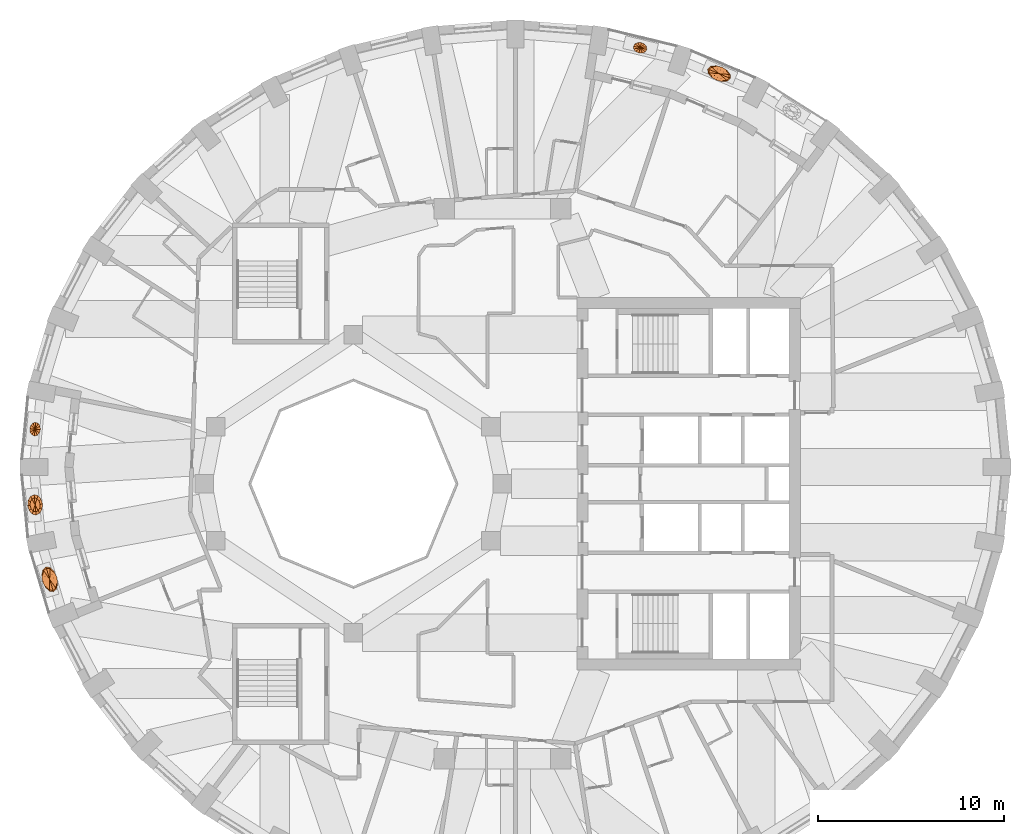
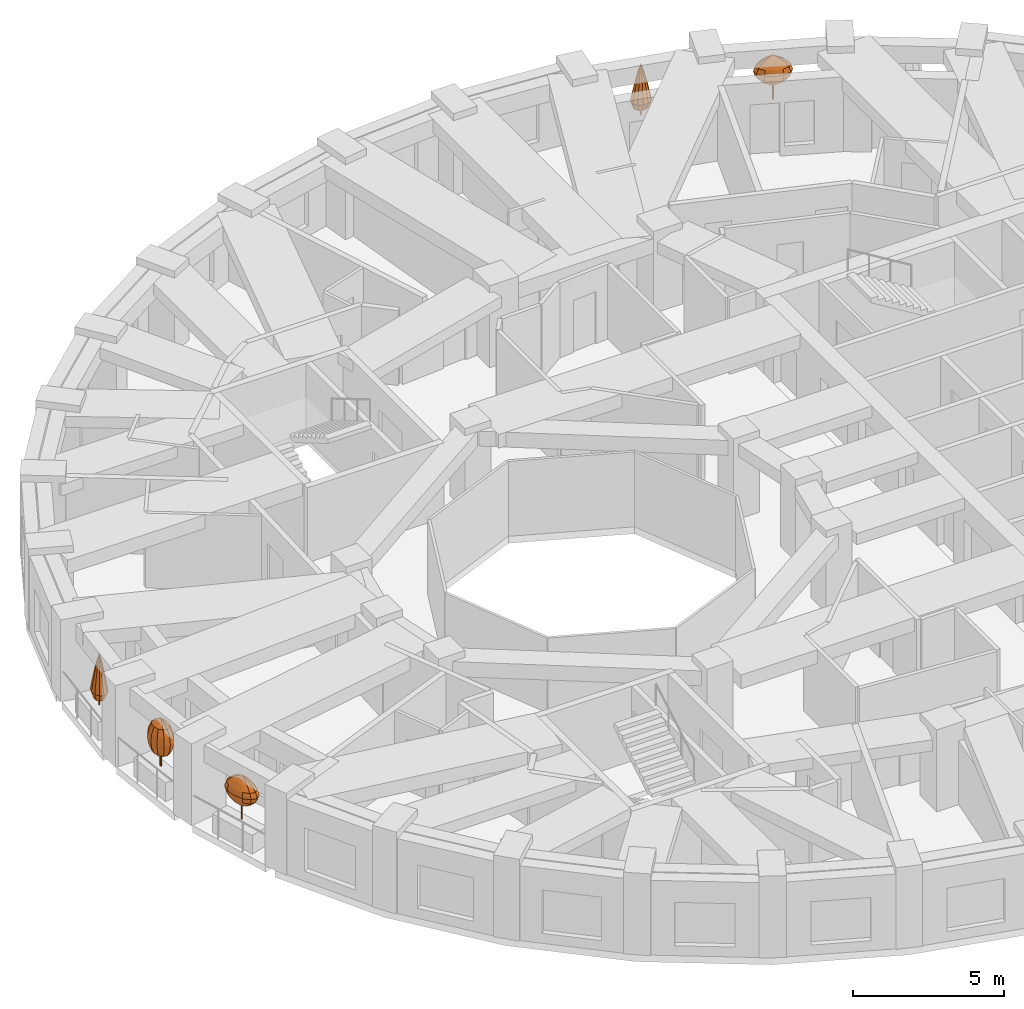
# One storey, part 11 of 12: 5 geographic elements.
"""IFC4 building model written with IfcOpenShell, lengths in metres."""

from ifc_helpers import new_model, si_unit, direction, frame, origin, place, context, subcontext, project, spatial, faceted_brep, material, constituent, constituent_set, type_object, element, save


model = new_model("IFC4")

# Units and contexts
model_context = context("Model", 3, precision=1e-05, world=origin(), true_north=direction((0.0, 1.0)))
body_context = subcontext(model_context, "Body", "Model", "MODEL_VIEW")
ifc_project = project(units=[si_unit("LENGTHUNIT", "METRE"), si_unit("AREAUNIT", "SQUARE_METRE"), si_unit("VOLUMEUNIT", "CUBIC_METRE"), si_unit("PLANEANGLEUNIT", "RADIAN"), si_unit("MASSUNIT", "GRAM", prefix="KILO")], contexts=[model_context])

# Site, building, storey
site_placement = place(None, origin())
site = spatial("IfcSite", under=ifc_project, at=site_placement, CompositionType="ELEMENT")
building_placement = place(site_placement, origin())
building = spatial("IfcBuilding", under=site, at=building_placement, Name="Taillehof Tower", CompositionType="ELEMENT")
storey_placement = place(building_placement, frame((0.0, 0.0, 192.5)))
storey = spatial("IfcBuildingStorey", under=building, at=storey_placement, Name="L54", CompositionType="ELEMENT", Elevation=192.5)

# Geographic elements
ifc_material_1 = material(Name="Tree bark", Category="timber")
ifc_constituent_1 = constituent(ifc_material_1, Name="Trunk", Category="timber")
ifc_material_2 = material(Name="Tree foliage")
ifc_constituent_2 = constituent(ifc_material_2, Name="Crown")
ifc_constituent_set_1 = constituent_set(constituents=[ifc_constituent_1, ifc_constituent_2], Name="Tree TR2 Fastigiate yew")
geographic_element_type_1 = type_object("IfcGeographicElementType", Name="Tree TR2 Fastigiate yew", PredefinedType="USERDEFINED", material=ifc_constituent_set_1)
geographic_element_1_placement = place(storey_placement, frame((-25.089599609375, -1.131591796875, 0.75)))
element("IfcGeographicElement", 1, at=geographic_element_1_placement, inside=storey, type_object=geographic_element_type_1, Name="Tree TR2 Fastigiate yew", ObjectType="TREE", PredefinedType="USERDEFINED", context=body_context, shape_type="Brep", body=[
    faceted_brep([(0.034912109375, 0.0, 0.0), (0.024658203125, 0.024658203125, 0.0), (0.024658203125, 0.024658203125, 0.909912109375), (0.034912109375, 0.0, 0.909912109375), (0.0, 0.034912109375, 0.0), (0.0, 0.034912109375, 0.909912109375), (-0.024658203125, 0.024658203125, 0.0), (-0.024658203125, 0.024658203125, 0.909912109375), (-0.034912109375, 0.0, 0.0), (-0.034912109375, 0.0, 0.909912109375), (-0.024658203125, -0.024658203125, 0.0), (-0.024658203125, -0.024658203125, 0.909912109375), (0.0, -0.034912109375, 0.0), (0.0, -0.034912109375, 0.909912109375), (0.024658203125, -0.024658203125, 0.0), (0.024658203125, -0.024658203125, 0.909912109375)], [[[0, 1, 2, 3]], [[1, 4, 5, 2]], [[4, 6, 7, 5]], [[6, 8, 9, 7]], [[8, 10, 11, 9]], [[10, 12, 13, 11]], [[12, 14, 15, 13]], [[14, 0, 3, 15]], [[14, 12, 10, 8, 6, 4, 1, 0]], [[3, 2, 5, 7, 9, 11, 13, 15]]]),
    faceted_brep([(0.0, 0.0, 0.35009765625), (0.16748046875, -0.310546875, 0.61669921875), (0.036376953125, -0.373779296875, 0.61669921875), (0.253662109375, -0.1640625, 0.61669921875), (0.27197265625, 0.0263671875, 0.61669921875), (0.21728515625, 0.2099609375, 0.61669921875), (0.1044921875, 0.3369140625, 0.61669921875), (-0.036376953125, 0.373779296875, 0.61669921875), (-0.16748046875, 0.310546875, 0.61669921875), (-0.253662109375, 0.1640625, 0.61669921875), (-0.27197265625, -0.0263671875, 0.61669921875), (-0.21728515625, -0.2099609375, 0.61669921875), (-0.1044921875, -0.3369140625, 0.61669921875), (0.2265625, -0.420166015625, 0.88330078125), (0.049072265625, -0.505859375, 0.88330078125), (0.34326171875, -0.221923828125, 0.88330078125), (0.367919921875, 0.035888671875, 0.88330078125), (0.2939453125, 0.283935546875, 0.88330078125), (0.141357421875, 0.455810546875, 0.88330078125), (-0.049072265625, 0.505859375, 0.88330078125), (-0.2265625, 0.420166015625, 0.88330078125), (-0.34326171875, 0.221923828125, 0.88330078125), (-0.367919921875, -0.035888671875, 0.88330078125), (-0.2939453125, -0.283935546875, 0.88330078125), (-0.141357421875, -0.455810546875, 0.88330078125), (0.2451171875, -0.454833984375, 1.14990234375), (0.05322265625, -0.54736328125, 1.14990234375), (0.371337890625, -0.240234375, 1.14990234375), (0.398193359375, 0.038818359375, 1.14990234375), (0.318115234375, 0.30712890625, 1.14990234375), (0.15283203125, 0.493408203125, 1.14990234375), (-0.05322265625, 0.54736328125, 1.14990234375), (-0.2451171875, 0.454833984375, 1.14990234375), (-0.371337890625, 0.240234375, 1.14990234375), (-0.398193359375, -0.038818359375, 1.14990234375), (-0.318115234375, -0.30712890625, 1.14990234375), (-0.15283203125, -0.493408203125, 1.14990234375), (0.2265625, -0.420166015625, 1.416748046875), (0.049072265625, -0.505859375, 1.416748046875), (0.34326171875, -0.221923828125, 1.416748046875), (0.367919921875, 0.035888671875, 1.416748046875), (0.2939453125, 0.283935546875, 1.416748046875), (0.141357421875, 0.455810546875, 1.416748046875), (-0.049072265625, 0.505859375, 1.416748046875), (-0.2265625, 0.420166015625, 1.416748046875), (-0.34326171875, 0.221923828125, 1.416748046875), (-0.367919921875, -0.035888671875, 1.416748046875), (-0.2939453125, -0.283935546875, 1.416748046875), (-0.141357421875, -0.455810546875, 1.416748046875), (0.16748046875, -0.310546875, 1.683349609375), (0.036376953125, -0.373779296875, 1.683349609375), (0.253662109375, -0.1640625, 1.683349609375), (0.27197265625, 0.0263671875, 1.683349609375), (0.21728515625, 0.2099609375, 1.683349609375), (0.1044921875, 0.3369140625, 1.683349609375), (-0.036376953125, 0.373779296875, 1.683349609375), (-0.16748046875, 0.310546875, 1.683349609375), (-0.253662109375, 0.1640625, 1.683349609375), (-0.27197265625, -0.0263671875, 1.683349609375), (-0.21728515625, -0.2099609375, 1.683349609375), (-0.1044921875, -0.3369140625, 1.683349609375), (0.0, 0.0, 1.949951171875)], [[[0, 1, 2]], [[0, 3, 1]], [[0, 4, 3]], [[0, 5, 4]], [[0, 6, 5]], [[0, 7, 6]], [[0, 8, 7]], [[0, 9, 8]], [[0, 10, 9]], [[0, 11, 10]], [[0, 12, 11]], [[0, 2, 12]], [[2, 1, 13, 14]], [[1, 3, 15, 13]], [[3, 4, 16, 15]], [[4, 5, 17, 16]], [[5, 6, 18, 17]], [[6, 7, 19, 18]], [[7, 8, 20, 19]], [[8, 9, 21, 20]], [[9, 10, 22, 21]], [[10, 11, 23, 22]], [[11, 12, 24, 23]], [[12, 2, 14, 24]], [[14, 13, 25, 26]], [[13, 15, 27, 25]], [[15, 16, 28, 27]], [[16, 17, 29, 28]], [[17, 18, 30, 29]], [[18, 19, 31, 30]], [[19, 20, 32, 31]], [[20, 21, 33, 32]], [[21, 22, 34, 33]], [[22, 23, 35, 34]], [[23, 24, 36, 35]], [[24, 14, 26, 36]], [[26, 25, 37, 38]], [[25, 27, 39, 37]], [[27, 28, 40, 39]], [[28, 29, 41, 40]], [[29, 30, 42, 41]], [[30, 31, 43, 42]], [[31, 32, 44, 43]], [[32, 33, 45, 44]], [[33, 34, 46, 45]], [[34, 35, 47, 46]], [[35, 36, 48, 47]], [[36, 26, 38, 48]], [[38, 37, 49, 50]], [[37, 39, 51, 49]], [[39, 40, 52, 51]], [[40, 41, 53, 52]], [[41, 42, 54, 53]], [[42, 43, 55, 54]], [[43, 44, 56, 55]], [[44, 45, 57, 56]], [[45, 46, 58, 57]], [[46, 47, 59, 58]], [[47, 48, 60, 59]], [[48, 38, 50, 60]], [[50, 49, 61]], [[49, 51, 61]], [[51, 52, 61]], [[52, 53, 61]], [[53, 54, 61]], [[54, 55, 61]], [[55, 56, 61]], [[56, 57, 61]], [[57, 58, 61]], [[58, 59, 61]], [[59, 60, 61]], [[60, 50, 61]]]),
])
ifc_material_3 = material(Name="Tree bark", Category="timber")
ifc_constituent_3 = constituent(ifc_material_3, Name="Trunk", Category="timber")
ifc_material_4 = material(Name="Tree foliage")
ifc_constituent_4 = constituent(ifc_material_4, Name="Crown")
ifc_constituent_set_2 = constituent_set(constituents=[ifc_constituent_3, ifc_constituent_4], Name="Tree TR4 Sea buckthorn standard")
geographic_element_type_2 = type_object("IfcGeographicElementType", Name="Tree TR4 Sea buckthorn standard", PredefinedType="USERDEFINED", material=ifc_constituent_set_2)
geographic_element_2_placement = place(storey_placement, frame((11.63720703125, 22.017822265625, 0.75)))
element("IfcGeographicElement", 2, at=geographic_element_2_placement, inside=storey, type_object=geographic_element_type_2, Name="Tree TR4 Sea buckthorn standard", ObjectType="TREE", PredefinedType="USERDEFINED", context=body_context, shape_type="Brep", body=[
    faceted_brep([(0.030029296875, 0.0, 0.0), (0.021240234375, 0.021240234375, 0.0), (0.021240234375, 0.021240234375, 0.98095703125), (0.030029296875, 0.0, 0.98095703125), (0.0, 0.030029296875, 0.0), (0.0, 0.030029296875, 0.98095703125), (-0.021240234375, 0.021240234375, 0.0), (-0.021240234375, 0.021240234375, 0.98095703125), (-0.030029296875, 0.0, 0.0), (-0.030029296875, 0.0, 0.98095703125), (-0.021240234375, -0.021240234375, 0.0), (-0.021240234375, -0.021240234375, 0.98095703125), (0.0, -0.030029296875, 0.0), (0.0, -0.030029296875, 0.98095703125), (0.021240234375, -0.021240234375, 0.0), (0.021240234375, -0.021240234375, 0.98095703125)], [[[0, 1, 2, 3]], [[1, 4, 5, 2]], [[4, 6, 7, 5]], [[6, 8, 9, 7]], [[8, 10, 11, 9]], [[10, 12, 13, 11]], [[12, 14, 15, 13]], [[14, 0, 3, 15]], [[14, 12, 10, 8, 6, 4, 1, 0]], [[3, 2, 5, 7, 9, 11, 13, 15]]]),
    faceted_brep([(0.0, 0.0, 0.5400390625), (-0.34716796875, 0.02734375, 0.75), (-0.352294921875, 0.147705078125, 0.75), (-0.249267578125, -0.100341796875, 0.75), (-0.08447265625, -0.201171875, 0.75), (0.10302734375, -0.248046875, 0.75), (0.2626953125, -0.228515625, 0.75), (0.352294921875, -0.147705078125, 0.75), (0.34716796875, -0.02734375, 0.75), (0.249267578125, 0.100341796875, 0.75), (0.08447265625, 0.201171875, 0.75), (-0.10302734375, 0.248046875, 0.75), (-0.2626953125, 0.228515625, 0.75), (-0.538818359375, 0.04248046875, 0.9599609375), (-0.546630859375, 0.229248046875, 0.9599609375), (-0.38671875, -0.15576171875, 0.9599609375), (-0.131103515625, -0.312255859375, 0.9599609375), (0.159912109375, -0.385009765625, 0.9599609375), (0.407958984375, -0.354736328125, 0.9599609375), (0.546630859375, -0.229248046875, 0.9599609375), (0.538818359375, -0.04248046875, 0.9599609375), (0.38671875, 0.15576171875, 0.9599609375), (0.131103515625, 0.312255859375, 0.9599609375), (-0.159912109375, 0.385009765625, 0.9599609375), (-0.407958984375, 0.354736328125, 0.9599609375), (-0.6044921875, 0.047607421875, 1.169921875), (-0.61328125, 0.25732421875, 1.169921875), (-0.433837890625, -0.1748046875, 1.169921875), (-0.14697265625, -0.350341796875, 1.169921875), (0.179443359375, -0.43212890625, 1.169921875), (0.45751953125, -0.39794921875, 1.169921875), (0.61328125, -0.25732421875, 1.169921875), (0.6044921875, -0.047607421875, 1.169921875), (0.433837890625, 0.1748046875, 1.169921875), (0.14697265625, 0.350341796875, 1.169921875), (-0.179443359375, 0.43212890625, 1.169921875), (-0.45751953125, 0.39794921875, 1.169921875), (-0.538818359375, 0.04248046875, 1.3798828125), (-0.546630859375, 0.229248046875, 1.3798828125), (-0.38671875, -0.15576171875, 1.3798828125), (-0.131103515625, -0.312255859375, 1.3798828125), (0.159912109375, -0.385009765625, 1.3798828125), (0.407958984375, -0.354736328125, 1.3798828125), (0.546630859375, -0.229248046875, 1.3798828125), (0.538818359375, -0.04248046875, 1.3798828125), (0.38671875, 0.15576171875, 1.3798828125), (0.131103515625, 0.312255859375, 1.3798828125), (-0.159912109375, 0.385009765625, 1.3798828125), (-0.407958984375, 0.354736328125, 1.3798828125), (-0.34716796875, 0.02734375, 1.590087890625), (-0.352294921875, 0.147705078125, 1.590087890625), (-0.249267578125, -0.100341796875, 1.590087890625), (-0.08447265625, -0.201171875, 1.590087890625), (0.10302734375, -0.248046875, 1.590087890625), (0.2626953125, -0.228515625, 1.590087890625), (0.352294921875, -0.147705078125, 1.590087890625), (0.34716796875, -0.02734375, 1.590087890625), (0.249267578125, 0.100341796875, 1.590087890625), (0.08447265625, 0.201171875, 1.590087890625), (-0.10302734375, 0.248046875, 1.590087890625), (-0.2626953125, 0.228515625, 1.590087890625), (0.0, 0.0, 1.800048828125)], [[[0, 1, 2]], [[0, 3, 1]], [[0, 4, 3]], [[0, 5, 4]], [[0, 6, 5]], [[0, 7, 6]], [[0, 8, 7]], [[0, 9, 8]], [[0, 10, 9]], [[0, 11, 10]], [[0, 12, 11]], [[0, 2, 12]], [[2, 1, 13, 14]], [[1, 3, 15, 13]], [[3, 4, 16, 15]], [[4, 5, 17, 16]], [[5, 6, 18, 17]], [[6, 7, 19, 18]], [[7, 8, 20, 19]], [[8, 9, 21, 20]], [[9, 10, 22, 21]], [[10, 11, 23, 22]], [[11, 12, 24, 23]], [[12, 2, 14, 24]], [[14, 13, 25, 26]], [[13, 15, 27, 25]], [[15, 16, 28, 27]], [[16, 17, 29, 28]], [[17, 18, 30, 29]], [[18, 19, 31, 30]], [[19, 20, 32, 31]], [[20, 21, 33, 32]], [[21, 22, 34, 33]], [[22, 23, 35, 34]], [[23, 24, 36, 35]], [[24, 14, 26, 36]], [[26, 25, 37, 38]], [[25, 27, 39, 37]], [[27, 28, 40, 39]], [[28, 29, 41, 40]], [[29, 30, 42, 41]], [[30, 31, 43, 42]], [[31, 32, 44, 43]], [[32, 33, 45, 44]], [[33, 34, 46, 45]], [[34, 35, 47, 46]], [[35, 36, 48, 47]], [[36, 26, 38, 48]], [[38, 37, 49, 50]], [[37, 39, 51, 49]], [[39, 40, 52, 51]], [[40, 41, 53, 52]], [[41, 42, 54, 53]], [[42, 43, 55, 54]], [[43, 44, 56, 55]], [[44, 45, 57, 56]], [[45, 46, 58, 57]], [[46, 47, 59, 58]], [[47, 48, 60, 59]], [[48, 38, 50, 60]], [[50, 49, 61]], [[49, 51, 61]], [[51, 52, 61]], [[52, 53, 61]], [[53, 54, 61]], [[54, 55, 61]], [[55, 56, 61]], [[56, 57, 61]], [[57, 58, 61]], [[58, 59, 61]], [[59, 60, 61]], [[60, 50, 61]]]),
])
geographic_element_3_placement = place(storey_placement, frame((-24.305419921875, -5.1328125, 0.75)))
element("IfcGeographicElement", 3, at=geographic_element_3_placement, inside=storey, type_object=geographic_element_type_2, Name="Tree TR4 Sea buckthorn standard", ObjectType="TREE", PredefinedType="USERDEFINED", context=body_context, shape_type="Brep", body=[
    faceted_brep([(0.030029296875, 0.0, 0.0), (0.021240234375, 0.021240234375, 0.0), (0.021240234375, 0.021240234375, 0.98095703125), (0.030029296875, 0.0, 0.98095703125), (0.0, 0.030029296875, 0.0), (0.0, 0.030029296875, 0.98095703125), (-0.021240234375, 0.021240234375, 0.0), (-0.021240234375, 0.021240234375, 0.98095703125), (-0.030029296875, 0.0, 0.0), (-0.030029296875, 0.0, 0.98095703125), (-0.021240234375, -0.021240234375, 0.0), (-0.021240234375, -0.021240234375, 0.98095703125), (0.0, -0.030029296875, 0.0), (0.0, -0.030029296875, 0.98095703125), (0.021240234375, -0.021240234375, 0.0), (0.021240234375, -0.021240234375, 0.98095703125)], [[[0, 1, 2, 3]], [[1, 4, 5, 2]], [[4, 6, 7, 5]], [[6, 8, 9, 7]], [[8, 10, 11, 9]], [[10, 12, 13, 11]], [[12, 14, 15, 13]], [[14, 0, 3, 15]], [[14, 12, 10, 8, 6, 4, 1, 0]], [[3, 2, 5, 7, 9, 11, 13, 15]]]),
    faceted_brep([(0.0, 0.0, 0.5400390625), (0.20947265625, -0.30078125, 0.75), (0.11474609375, -0.38525390625, 0.75), (0.248046875, -0.1357421875, 0.75), (0.22021484375, 0.065673828125, 0.75), (0.13330078125, 0.24951171875, 0.75), (0.0107421875, 0.366455078125, 0.75), (-0.11474609375, 0.38525390625, 0.75), (-0.20947265625, 0.30078125, 0.75), (-0.248046875, 0.1357421875, 0.75), (-0.22021484375, -0.065673828125, 0.75), (-0.13330078125, -0.24951171875, 0.75), (-0.0107421875, -0.366455078125, 0.75), (0.3251953125, -0.467041015625, 0.9599609375), (0.17822265625, -0.597900390625, 0.9599609375), (0.385009765625, -0.2109375, 0.9599609375), (0.341796875, 0.101806640625, 0.9599609375), (0.206787109375, 0.38720703125, 0.9599609375), (0.0166015625, 0.56884765625, 0.9599609375), (-0.17822265625, 0.597900390625, 0.9599609375), (-0.3251953125, 0.467041015625, 0.9599609375), (-0.385009765625, 0.2109375, 0.9599609375), (-0.341796875, -0.101806640625, 0.9599609375), (-0.206787109375, -0.38720703125, 0.9599609375), (-0.0166015625, -0.56884765625, 0.9599609375), (0.36474609375, -0.52392578125, 1.169921875), (0.199951171875, -0.6708984375, 1.169921875), (0.431884765625, -0.236572265625, 1.169921875), (0.38330078125, 0.1142578125, 1.169921875), (0.232177734375, 0.434326171875, 1.169921875), (0.0185546875, 0.63818359375, 1.169921875), (-0.199951171875, 0.6708984375, 1.169921875), (-0.36474609375, 0.52392578125, 1.169921875), (-0.431884765625, 0.236572265625, 1.169921875), (-0.38330078125, -0.1142578125, 1.169921875), (-0.232177734375, -0.434326171875, 1.169921875), (-0.0185546875, -0.63818359375, 1.169921875), (0.3251953125, -0.467041015625, 1.3798828125), (0.17822265625, -0.597900390625, 1.3798828125), (0.385009765625, -0.2109375, 1.3798828125), (0.341796875, 0.101806640625, 1.3798828125), (0.206787109375, 0.38720703125, 1.3798828125), (0.0166015625, 0.56884765625, 1.3798828125), (-0.17822265625, 0.597900390625, 1.3798828125), (-0.3251953125, 0.467041015625, 1.3798828125), (-0.385009765625, 0.2109375, 1.3798828125), (-0.341796875, -0.101806640625, 1.3798828125), (-0.206787109375, -0.38720703125, 1.3798828125), (-0.0166015625, -0.56884765625, 1.3798828125), (0.20947265625, -0.30078125, 1.590087890625), (0.11474609375, -0.38525390625, 1.590087890625), (0.248046875, -0.1357421875, 1.590087890625), (0.22021484375, 0.065673828125, 1.590087890625), (0.13330078125, 0.24951171875, 1.590087890625), (0.0107421875, 0.366455078125, 1.590087890625), (-0.11474609375, 0.38525390625, 1.590087890625), (-0.20947265625, 0.30078125, 1.590087890625), (-0.248046875, 0.1357421875, 1.590087890625), (-0.22021484375, -0.065673828125, 1.590087890625), (-0.13330078125, -0.24951171875, 1.590087890625), (-0.0107421875, -0.366455078125, 1.590087890625), (0.0, 0.0, 1.800048828125)], [[[0, 1, 2]], [[0, 3, 1]], [[0, 4, 3]], [[0, 5, 4]], [[0, 6, 5]], [[0, 7, 6]], [[0, 8, 7]], [[0, 9, 8]], [[0, 10, 9]], [[0, 11, 10]], [[0, 12, 11]], [[0, 2, 12]], [[2, 1, 13, 14]], [[1, 3, 15, 13]], [[3, 4, 16, 15]], [[4, 5, 17, 16]], [[5, 6, 18, 17]], [[6, 7, 19, 18]], [[7, 8, 20, 19]], [[8, 9, 21, 20]], [[9, 10, 22, 21]], [[10, 11, 23, 22]], [[11, 12, 24, 23]], [[12, 2, 14, 24]], [[14, 13, 25, 26]], [[13, 15, 27, 25]], [[15, 16, 28, 27]], [[16, 17, 29, 28]], [[17, 18, 30, 29]], [[18, 19, 31, 30]], [[19, 20, 32, 31]], [[20, 21, 33, 32]], [[21, 22, 34, 33]], [[22, 23, 35, 34]], [[23, 24, 36, 35]], [[24, 14, 26, 36]], [[26, 25, 37, 38]], [[25, 27, 39, 37]], [[27, 28, 40, 39]], [[28, 29, 41, 40]], [[29, 30, 42, 41]], [[30, 31, 43, 42]], [[31, 32, 44, 43]], [[32, 33, 45, 44]], [[33, 34, 46, 45]], [[34, 35, 47, 46]], [[35, 36, 48, 47]], [[36, 26, 38, 48]], [[38, 37, 49, 50]], [[37, 39, 51, 49]], [[39, 40, 52, 51]], [[40, 41, 53, 52]], [[41, 42, 54, 53]], [[42, 43, 55, 54]], [[43, 44, 56, 55]], [[44, 45, 57, 56]], [[45, 46, 58, 57]], [[46, 47, 59, 58]], [[47, 48, 60, 59]], [[48, 38, 50, 60]], [[50, 49, 61]], [[49, 51, 61]], [[51, 52, 61]], [[52, 53, 61]], [[53, 54, 61]], [[54, 55, 61]], [[55, 56, 61]], [[56, 57, 61]], [[57, 58, 61]], [[58, 59, 61]], [[59, 60, 61]], [[60, 50, 61]]]),
])
ifc_material_5 = material(Name="Tree bark", Category="timber")
ifc_constituent_5 = constituent(ifc_material_5, Name="Trunk", Category="timber")
ifc_material_6 = material(Name="Tree foliage")
ifc_constituent_6 = constituent(ifc_material_6, Name="Crown")
ifc_constituent_set_3 = constituent_set(constituents=[ifc_constituent_5, ifc_constituent_6], Name="Tree TR5 Columnar juniper")
geographic_element_type_3 = type_object("IfcGeographicElementType", Name="Tree TR5 Columnar juniper", PredefinedType="USERDEFINED", material=ifc_constituent_set_3)
geographic_element_4_placement = place(storey_placement, frame((7.39794921875, 23.406005859375, 0.75)))
element("IfcGeographicElement", 4, at=geographic_element_4_placement, inside=storey, type_object=geographic_element_type_3, Name="Tree TR5 Columnar juniper", ObjectType="TREE", PredefinedType="USERDEFINED", context=body_context, shape_type="Brep", body=[
    faceted_brep([(0.02490234375, 0.0, 0.0), (0.017578125, 0.017578125, 0.0), (0.017578125, 0.017578125, 0.929931640625), (0.02490234375, 0.0, 0.929931640625), (0.0, 0.02490234375, 0.0), (0.0, 0.02490234375, 0.929931640625), (-0.017578125, 0.017578125, 0.0), (-0.017578125, 0.017578125, 0.929931640625), (-0.02490234375, 0.0, 0.0), (-0.02490234375, 0.0, 0.929931640625), (-0.017578125, -0.017578125, 0.0), (-0.017578125, -0.017578125, 0.929931640625), (0.0, -0.02490234375, 0.0), (0.0, -0.02490234375, 0.929931640625), (0.017578125, -0.017578125, 0.0), (0.017578125, -0.017578125, 0.929931640625)], [[[0, 1, 2, 3]], [[1, 4, 5, 2]], [[4, 6, 7, 5]], [[6, 8, 9, 7]], [[8, 10, 11, 9]], [[10, 12, 13, 11]], [[12, 14, 15, 13]], [[14, 0, 3, 15]], [[14, 12, 10, 8, 6, 4, 1, 0]], [[3, 2, 5, 7, 9, 11, 13, 15]]]),
    faceted_brep([(-0.24072265625, 0.05810546875, 0.300048828125), (-0.23095703125, -0.04345703125, 0.300048828125), (-0.3447265625, -0.064697265625, 0.60009765625), (-0.359130859375, 0.086669921875, 0.60009765625), (-0.159423828125, -0.133056640625, 0.300048828125), (-0.23779296875, -0.19873046875, 0.60009765625), (-0.045166015625, -0.187255859375, 0.300048828125), (-0.0673828125, -0.279296875, 0.60009765625), (0.081298828125, -0.191162109375, 0.300048828125), (0.121337890625, -0.28515625, 0.60009765625), (0.185791015625, -0.143798828125, 0.300048828125), (0.27734375, -0.214599609375, 0.60009765625), (0.24072265625, -0.05810546875, 0.300048828125), (0.359130859375, -0.086669921875, 0.60009765625), (0.23095703125, 0.04345703125, 0.300048828125), (0.3447265625, 0.064697265625, 0.60009765625), (0.159423828125, 0.133056640625, 0.300048828125), (0.23779296875, 0.19873046875, 0.60009765625), (0.045166015625, 0.187255859375, 0.300048828125), (0.0673828125, 0.279296875, 0.60009765625), (-0.081298828125, 0.191162109375, 0.300048828125), (-0.121337890625, 0.28515625, 0.60009765625), (-0.185791015625, 0.143798828125, 0.300048828125), (-0.27734375, 0.214599609375, 0.60009765625), (-0.288330078125, -0.05419921875, 0.89990234375), (-0.300537109375, 0.072509765625, 0.89990234375), (-0.198974609375, -0.166259765625, 0.89990234375), (-0.056396484375, -0.233642578125, 0.89990234375), (0.1015625, -0.238525390625, 0.89990234375), (0.23193359375, -0.1796875, 0.89990234375), (0.300537109375, -0.072509765625, 0.89990234375), (0.288330078125, 0.05419921875, 0.89990234375), (0.198974609375, 0.166259765625, 0.89990234375), (0.056396484375, 0.233642578125, 0.89990234375), (-0.1015625, 0.238525390625, 0.89990234375), (-0.23193359375, 0.1796875, 0.89990234375), (-0.22900390625, -0.04296875, 1.199951171875), (-0.23876953125, 0.0576171875, 1.199951171875), (-0.158203125, -0.132080078125, 1.199951171875), (-0.044677734375, -0.185546875, 1.199951171875), (0.08056640625, -0.189453125, 1.199951171875), (0.184326171875, -0.142578125, 1.199951171875), (0.23876953125, -0.0576171875, 1.199951171875), (0.22900390625, 0.04296875, 1.199951171875), (0.158203125, 0.132080078125, 1.199951171875), (0.044677734375, 0.185546875, 1.199951171875), (-0.08056640625, 0.189453125, 1.199951171875), (-0.184326171875, 0.142578125, 1.199951171875), (-0.16552734375, -0.031005859375, 1.5), (-0.172607421875, 0.04150390625, 1.5), (-0.1142578125, -0.095458984375, 1.5), (-0.032470703125, -0.13427734375, 1.5), (0.058349609375, -0.136962890625, 1.5), (0.13330078125, -0.10302734375, 1.5), (0.172607421875, -0.04150390625, 1.5), (0.16552734375, 0.031005859375, 1.5), (0.1142578125, 0.095458984375, 1.5), (0.032470703125, 0.13427734375, 1.5), (-0.058349609375, 0.136962890625, 1.5), (-0.13330078125, 0.10302734375, 1.5), (-0.09521484375, -0.017822265625, 1.800048828125), (-0.09912109375, 0.02392578125, 1.800048828125), (-0.065673828125, -0.054931640625, 1.800048828125), (-0.0185546875, -0.0771484375, 1.800048828125), (0.033447265625, -0.07861328125, 1.800048828125), (0.07666015625, -0.059326171875, 1.800048828125), (0.09912109375, -0.02392578125, 1.800048828125), (0.09521484375, 0.017822265625, 1.800048828125), (0.065673828125, 0.054931640625, 1.800048828125), (0.0185546875, 0.0771484375, 1.800048828125), (-0.033447265625, 0.07861328125, 1.800048828125), (-0.07666015625, 0.059326171875, 1.800048828125), (0.0, 0.0, 2.10009765625)], [[[0, 1, 2, 3]], [[1, 4, 5, 2]], [[4, 6, 7, 5]], [[6, 8, 9, 7]], [[8, 10, 11, 9]], [[10, 12, 13, 11]], [[12, 14, 15, 13]], [[14, 16, 17, 15]], [[16, 18, 19, 17]], [[18, 20, 21, 19]], [[20, 22, 23, 21]], [[22, 0, 3, 23]], [[3, 2, 24, 25]], [[2, 5, 26, 24]], [[5, 7, 27, 26]], [[7, 9, 28, 27]], [[9, 11, 29, 28]], [[11, 13, 30, 29]], [[13, 15, 31, 30]], [[15, 17, 32, 31]], [[17, 19, 33, 32]], [[19, 21, 34, 33]], [[21, 23, 35, 34]], [[23, 3, 25, 35]], [[25, 24, 36, 37]], [[24, 26, 38, 36]], [[26, 27, 39, 38]], [[27, 28, 40, 39]], [[28, 29, 41, 40]], [[29, 30, 42, 41]], [[30, 31, 43, 42]], [[31, 32, 44, 43]], [[32, 33, 45, 44]], [[33, 34, 46, 45]], [[34, 35, 47, 46]], [[35, 25, 37, 47]], [[37, 36, 48, 49]], [[36, 38, 50, 48]], [[38, 39, 51, 50]], [[39, 40, 52, 51]], [[40, 41, 53, 52]], [[41, 42, 54, 53]], [[42, 43, 55, 54]], [[43, 44, 56, 55]], [[44, 45, 57, 56]], [[45, 46, 58, 57]], [[46, 47, 59, 58]], [[47, 37, 49, 59]], [[49, 48, 60, 61]], [[48, 50, 62, 60]], [[50, 51, 63, 62]], [[51, 52, 64, 63]], [[52, 53, 65, 64]], [[53, 54, 66, 65]], [[54, 55, 67, 66]], [[55, 56, 68, 67]], [[56, 57, 69, 68]], [[57, 58, 70, 69]], [[58, 59, 71, 70]], [[59, 49, 61, 71]], [[61, 60, 72]], [[60, 62, 72]], [[62, 63, 72]], [[63, 64, 72]], [[64, 65, 72]], [[65, 66, 72]], [[66, 67, 72]], [[67, 68, 72]], [[68, 69, 72]], [[69, 70, 72]], [[70, 71, 72]], [[71, 61, 72]], [[22, 20, 18, 16, 14, 12, 10, 8, 6, 4, 1, 0]]]),
])
geographic_element_5_placement = place(storey_placement, frame((-25.089599609375, 2.931640625, 0.75)))
element("IfcGeographicElement", 5, at=geographic_element_5_placement, inside=storey, type_object=geographic_element_type_3, Name="Tree TR5 Columnar juniper", ObjectType="TREE", PredefinedType="USERDEFINED", context=body_context, shape_type="Brep", body=[
    faceted_brep([(0.02490234375, 0.0, 0.0), (0.017578125, 0.017578125, 0.0), (0.017578125, 0.017578125, 0.929931640625), (0.02490234375, 0.0, 0.929931640625), (0.0, 0.02490234375, 0.0), (0.0, 0.02490234375, 0.929931640625), (-0.017578125, 0.017578125, 0.0), (-0.017578125, 0.017578125, 0.929931640625), (-0.02490234375, 0.0, 0.0), (-0.02490234375, 0.0, 0.929931640625), (-0.017578125, -0.017578125, 0.0), (-0.017578125, -0.017578125, 0.929931640625), (0.0, -0.02490234375, 0.0), (0.0, -0.02490234375, 0.929931640625), (0.017578125, -0.017578125, 0.0), (0.017578125, -0.017578125, 0.929931640625)], [[[0, 1, 2, 3]], [[1, 4, 5, 2]], [[4, 6, 7, 5]], [[6, 8, 9, 7]], [[8, 10, 11, 9]], [[10, 12, 13, 11]], [[12, 14, 15, 13]], [[14, 0, 3, 15]], [[14, 12, 10, 8, 6, 4, 1, 0]], [[3, 2, 5, 7, 9, 11, 13, 15]]]),
    faceted_brep([(-0.02392578125, -0.246337890625, 0.300048828125), (0.074951171875, -0.22265625, 0.300048828125), (0.112060546875, -0.332275390625, 0.60009765625), (-0.03564453125, -0.36767578125, 0.60009765625), (0.154052734375, -0.139404296875, 0.300048828125), (0.229736328125, -0.2080078125, 0.60009765625), (0.191650390625, -0.0185546875, 0.300048828125), (0.2861328125, -0.02783203125, 0.60009765625), (0.177978515625, 0.10693359375, 0.300048828125), (0.265625, 0.15966796875, 0.60009765625), (0.116455078125, 0.2041015625, 0.300048828125), (0.174072265625, 0.3046875, 0.60009765625), (0.02392578125, 0.246337890625, 0.300048828125), (0.03564453125, 0.36767578125, 0.60009765625), (-0.074951171875, 0.22265625, 0.300048828125), (-0.112060546875, 0.332275390625, 0.60009765625), (-0.154052734375, 0.139404296875, 0.300048828125), (-0.229736328125, 0.2080078125, 0.60009765625), (-0.191650390625, 0.0185546875, 0.300048828125), (-0.2861328125, 0.02783203125, 0.60009765625), (-0.177978515625, -0.10693359375, 0.300048828125), (-0.265625, -0.15966796875, 0.60009765625), (-0.116455078125, -0.2041015625, 0.300048828125), (-0.174072265625, -0.3046875, 0.60009765625), (0.09375, -0.278076171875, 0.89990234375), (-0.030029296875, -0.3076171875, 0.89990234375), (0.192138671875, -0.174072265625, 0.89990234375), (0.2392578125, -0.023193359375, 0.89990234375), (0.22216796875, 0.133544921875, 0.89990234375), (0.1455078125, 0.2548828125, 0.89990234375), (0.030029296875, 0.3076171875, 0.89990234375), (-0.09375, 0.278076171875, 0.89990234375), (-0.192138671875, 0.174072265625, 0.89990234375), (-0.2392578125, 0.023193359375, 0.89990234375), (-0.22216796875, -0.133544921875, 0.89990234375), (-0.1455078125, -0.2548828125, 0.89990234375), (0.074462890625, -0.220947265625, 1.199951171875), (-0.023681640625, -0.244384765625, 1.199951171875), (0.15283203125, -0.13818359375, 1.199951171875), (0.190185546875, -0.0185546875, 1.199951171875), (0.176513671875, 0.106201171875, 1.199951171875), (0.11572265625, 0.202392578125, 1.199951171875), (0.023681640625, 0.244384765625, 1.199951171875), (-0.074462890625, 0.220947265625, 1.199951171875), (-0.15283203125, 0.13818359375, 1.199951171875), (-0.190185546875, 0.0185546875, 1.199951171875), (-0.176513671875, -0.106201171875, 1.199951171875), (-0.11572265625, -0.202392578125, 1.199951171875), (0.0537109375, -0.15966796875, 1.5), (-0.01708984375, -0.1767578125, 1.5), (0.1103515625, -0.099853515625, 1.5), (0.137451171875, -0.013427734375, 1.5), (0.127685546875, 0.07666015625, 1.5), (0.08349609375, 0.146240234375, 1.5), (0.01708984375, 0.1767578125, 1.5), (-0.0537109375, 0.15966796875, 1.5), (-0.1103515625, 0.099853515625, 1.5), (-0.137451171875, 0.013427734375, 1.5), (-0.127685546875, -0.07666015625, 1.5), (-0.08349609375, -0.146240234375, 1.5), (0.031005859375, -0.091796875, 1.800048828125), (-0.009765625, -0.1015625, 1.800048828125), (0.0634765625, -0.057373046875, 1.800048828125), (0.078857421875, -0.007568359375, 1.800048828125), (0.0732421875, 0.044189453125, 1.800048828125), (0.048095703125, 0.083984375, 1.800048828125), (0.009765625, 0.1015625, 1.800048828125), (-0.031005859375, 0.091796875, 1.800048828125), (-0.0634765625, 0.057373046875, 1.800048828125), (-0.078857421875, 0.007568359375, 1.800048828125), (-0.0732421875, -0.044189453125, 1.800048828125), (-0.048095703125, -0.083984375, 1.800048828125), (0.0, 0.0, 2.10009765625)], [[[0, 1, 2, 3]], [[1, 4, 5, 2]], [[4, 6, 7, 5]], [[6, 8, 9, 7]], [[8, 10, 11, 9]], [[10, 12, 13, 11]], [[12, 14, 15, 13]], [[14, 16, 17, 15]], [[16, 18, 19, 17]], [[18, 20, 21, 19]], [[20, 22, 23, 21]], [[22, 0, 3, 23]], [[3, 2, 24, 25]], [[2, 5, 26, 24]], [[5, 7, 27, 26]], [[7, 9, 28, 27]], [[9, 11, 29, 28]], [[11, 13, 30, 29]], [[13, 15, 31, 30]], [[15, 17, 32, 31]], [[17, 19, 33, 32]], [[19, 21, 34, 33]], [[21, 23, 35, 34]], [[23, 3, 25, 35]], [[25, 24, 36, 37]], [[24, 26, 38, 36]], [[26, 27, 39, 38]], [[27, 28, 40, 39]], [[28, 29, 41, 40]], [[29, 30, 42, 41]], [[30, 31, 43, 42]], [[31, 32, 44, 43]], [[32, 33, 45, 44]], [[33, 34, 46, 45]], [[34, 35, 47, 46]], [[35, 25, 37, 47]], [[37, 36, 48, 49]], [[36, 38, 50, 48]], [[38, 39, 51, 50]], [[39, 40, 52, 51]], [[40, 41, 53, 52]], [[41, 42, 54, 53]], [[42, 43, 55, 54]], [[43, 44, 56, 55]], [[44, 45, 57, 56]], [[45, 46, 58, 57]], [[46, 47, 59, 58]], [[47, 37, 49, 59]], [[49, 48, 60, 61]], [[48, 50, 62, 60]], [[50, 51, 63, 62]], [[51, 52, 64, 63]], [[52, 53, 65, 64]], [[53, 54, 66, 65]], [[54, 55, 67, 66]], [[55, 56, 68, 67]], [[56, 57, 69, 68]], [[57, 58, 70, 69]], [[58, 59, 71, 70]], [[59, 49, 61, 71]], [[61, 60, 72]], [[60, 62, 72]], [[62, 63, 72]], [[63, 64, 72]], [[64, 65, 72]], [[65, 66, 72]], [[66, 67, 72]], [[67, 68, 72]], [[68, 69, 72]], [[69, 70, 72]], [[70, 71, 72]], [[71, 61, 72]], [[22, 20, 18, 16, 14, 12, 10, 8, 6, 4, 1, 0]]]),
])

save(model, "model.ifc")
